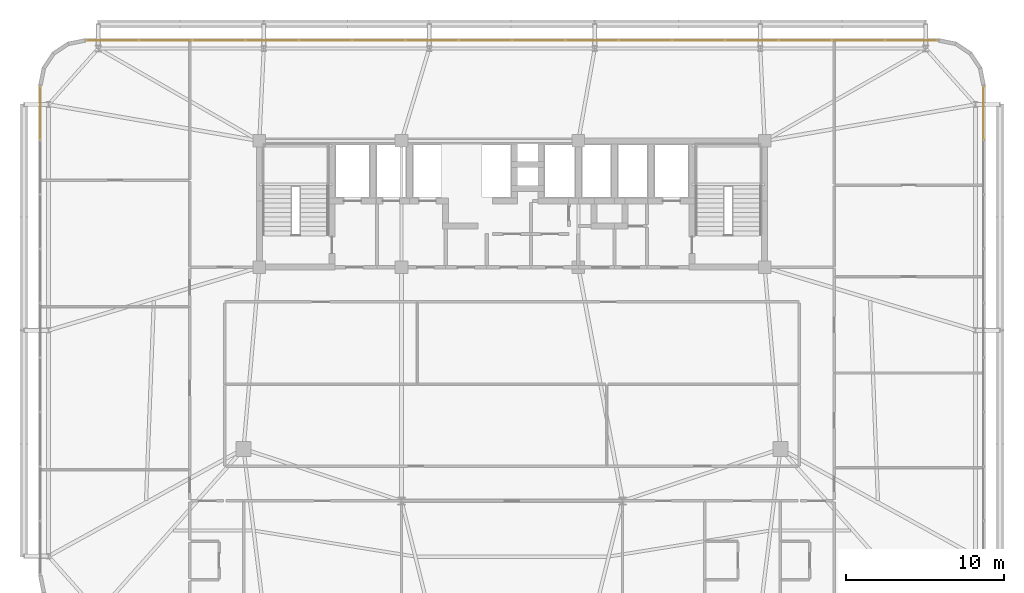
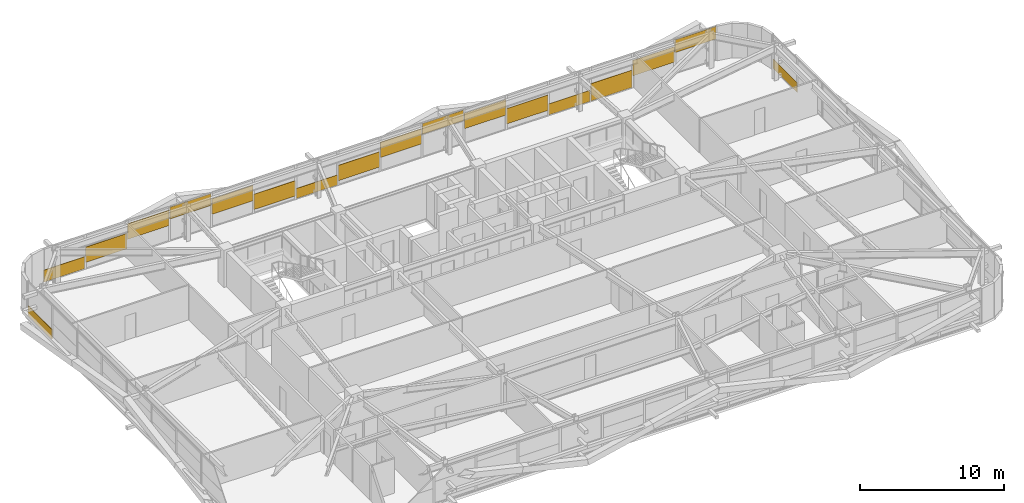
# One storey, part 59 of 59: 18 coverings.
"""IFC4 building model written with IfcOpenShell, lengths in metres."""

import ifcopenshell
import ifcopenshell.guid

model = None  # the IFC model being written
_history = None  # IfcOwnerHistory: only IFC2X3 demands one
_inside = {}  # id of a spatial element -> (the spatial element, [elements in it])
_under = {}  # id of a project, library or spatial element -> (it, [spatial elements below it])
_declared = {}  # id of a project -> (the project, [libraries it declares])
_typed = {}  # id of a type object -> (the type object, [elements of that type])
_made_of = {}  # id of a material, layer set ... -> (it, [elements and type objects made of it])


def new_model(schema):
    """Start an empty IFC model of exactly this schema.

    Asked for "IFC4X3", IfcOpenShell would pick the latest addendum, in which some entities
    have other attributes; the version numbers below select the first issue.
    IFC2X3 requires an IfcOwnerHistory on every rooted entity: one is made here for all.
    """
    global model, _history
    if schema == "IFC4X3":
        model = ifcopenshell.file(schema_version=(4, 3, 0, 0))
    else:
        model = ifcopenshell.file(schema=schema)
    _inside.clear()
    _under.clear()
    _declared.clear()
    _typed.clear()
    _made_of.clear()
    _history = None
    if model.schema == "IFC2X3":
        org = make("IfcOrganization", Name="unknown")
        user = make(
            "IfcPersonAndOrganization",
            ThePerson=make("IfcPerson", FamilyName="unknown"),
            TheOrganization=org,
        )
        app = make(
            "IfcApplication",
            ApplicationDeveloper=org,
            Version="unknown",
            ApplicationFullName="unknown",
            ApplicationIdentifier="unknown",
        )
        _history = make(
            "IfcOwnerHistory",
            OwningUser=user,
            OwningApplication=app,
            ChangeAction="ADDED",
            CreationDate=0,
        )
    return model


def make(cls, **values):
    """One entity of the class cls with the attributes given. An attribute that is None is left unset."""
    return model.create_entity(
        cls, **{name: value for name, value in values.items() if value is not None}
    )


def rooted(cls, **values):
    """An entity with a GlobalId (a new one), such as an element, a storey or a relation."""
    return make(cls, GlobalId=ifcopenshell.guid.new(), OwnerHistory=_history, **values)


def si_unit(unit_type, name, prefix=None):
    """IfcSIUnit, for example si_unit("LENGTHUNIT", "METRE", prefix="MILLI")."""
    return make("IfcSIUnit", UnitType=unit_type, Prefix=prefix, Name=name)


def assignment(units):
    """IfcUnitAssignment: the units of a project."""
    return None if units is None else make("IfcUnitAssignment", Units=units)


def point(xyz):
    """IfcCartesianPoint."""
    return None if xyz is None else make("IfcCartesianPoint", Coordinates=xyz)


def direction(xyz):
    """IfcDirection."""
    return None if xyz is None else make("IfcDirection", DirectionRatios=xyz)


def frame(location, z_axis=None, x_axis=None):
    """IfcAxis2Placement3D, a coordinate frame: its origin and axes. An axis left out is left unset."""
    return make(
        "IfcAxis2Placement3D",
        Location=point(location),
        Axis=direction(z_axis),
        RefDirection=direction(x_axis),
    )


def frame_2d(location, x_axis=None):
    """IfcAxis2Placement2D, a coordinate frame in the plane: its origin and x axis."""
    return make(
        "IfcAxis2Placement2D", Location=point(location), RefDirection=direction(x_axis)
    )


def origin():
    """The frame at (0, 0, 0) with its axes left unset."""
    return frame((0.0, 0.0, 0.0))


def origin_2d():
    """The frame at (0, 0) in the plane with its x axis left unset."""
    return frame_2d((0.0, 0.0))


def place(relative_to, where):
    """IfcLocalPlacement: puts the frame where relative to a parent placement (None: the world)."""
    return make(
        "IfcLocalPlacement", PlacementRelTo=relative_to, RelativePlacement=where
    )


def context(
    kind, dimensions, precision=None, world=None, true_north=None, identifier=None
):
    """IfcGeometricRepresentationContext, for example the 3D "Model" context."""
    return make(
        "IfcGeometricRepresentationContext",
        ContextIdentifier=identifier,
        ContextType=kind,
        CoordinateSpaceDimension=dimensions,
        Precision=precision,
        WorldCoordinateSystem=world,
        TrueNorth=true_north,
    )


def subcontext(parent, identifier, kind, view, scale=None):
    """IfcGeometricRepresentationSubContext, for example "Body" below "Model"."""
    return make(
        "IfcGeometricRepresentationSubContext",
        ContextIdentifier=identifier,
        ContextType=kind,
        ParentContext=parent,
        TargetScale=scale,
        TargetView=view,
    )


def project(units=None, contexts=None):
    """IfcProject with its units and contexts."""
    return rooted(
        "IfcProject",
        Name="project",
        RepresentationContexts=contexts,
        UnitsInContext=assignment(units),
    )


def spatial(cls, under=None, at=None, **own):
    """A site, building, storey or space (cls), placed at a placement, below another one or the project."""
    s = rooted(cls, ObjectPlacement=at, **own)
    if under is not None:
        _under.setdefault(under.id(), (under, []))[1].append(s)
    return s


def profile(cls, at=None, kind="AREA", **sizes):
    """A parametric profile (cls). Its sizes go by their IFC names, for example OverallWidth=200.0."""
    return make(cls, ProfileType=kind, Position=at, **sizes)


def rectangle(**sizes):
    """IfcRectangleProfileDef."""
    return profile("IfcRectangleProfileDef", **sizes)


def extrude(swept, where, along, depth):
    """IfcExtrudedAreaSolid: the profile swept, set in the frame where, extruded along a direction by depth."""
    return make(
        "IfcExtrudedAreaSolid",
        SweptArea=swept,
        Position=where,
        ExtrudedDirection=direction(along),
        Depth=depth,
    )


def shape(context_of_items, identifier, shape_type, items):
    """IfcShapeRepresentation: the items that make up one representation, for example the "Body"."""
    return make(
        "IfcShapeRepresentation",
        ContextOfItems=context_of_items,
        RepresentationIdentifier=identifier,
        RepresentationType=shape_type,
        Items=items,
    )


def source(mapping_origin, context_of_items, identifier, shape_type, items):
    """IfcRepresentationMap: a shape defined once, which mapped items show again and again."""
    return make(
        "IfcRepresentationMap",
        MappingOrigin=mapping_origin,
        MappedRepresentation=shape(context_of_items, identifier, shape_type, items),
    )


def transform(
    local_origin,
    x_axis=None,
    y_axis=None,
    z_axis=None,
    scale=None,
    scale2=None,
    scale3=None,
    uniform=True,
):
    """IfcCartesianTransformationOperator3D, or its non-uniform kind. x_axis, y_axis, z_axis: its Axis1, 2, 3."""
    if uniform:
        return make(
            "IfcCartesianTransformationOperator3D",
            Axis1=direction(x_axis),
            Axis2=direction(y_axis),
            LocalOrigin=point(local_origin),
            Scale=scale,
            Axis3=direction(z_axis),
        )
    return make(
        "IfcCartesianTransformationOperator3DnonUniform",
        Axis1=direction(x_axis),
        Axis2=direction(y_axis),
        LocalOrigin=point(local_origin),
        Scale=scale,
        Axis3=direction(z_axis),
        Scale2=scale2,
        Scale3=scale3,
    )


def mapped(mapping_source, mapping_target):
    """IfcMappedItem: shows the shape of a source again, moved by a transform."""
    return make(
        "IfcMappedItem", MappingSource=mapping_source, MappingTarget=mapping_target
    )


def material(Name=None, Category=None):
    """IfcMaterial."""
    return make("IfcMaterial", Name=Name, Category=Category)


def layer(
    of_material, thickness, ventilated=None, Name=None, Category=None, Priority=None
):
    """IfcMaterialLayer: one layer of a wall or slab, of a material (None: an air gap)."""
    return make(
        "IfcMaterialLayer",
        Material=of_material,
        LayerThickness=thickness,
        IsVentilated=ventilated,
        Name=Name,
        Category=Category,
        Priority=Priority,
    )


def layer_set(layers, Name=None):
    """IfcMaterialLayerSet."""
    return make("IfcMaterialLayerSet", MaterialLayers=layers, LayerSetName=Name)


def made_of(thing, what):
    """Note that an element or type object is made of a material, layer set ...; save() writes the relation."""
    if what is not None:
        _made_of.setdefault(what.id(), (what, []))[1].append(thing)
    return thing


def type_object(cls, material=None, **own):
    """A type object (cls), such as IfcWallType, which elements share."""
    return made_of(rooted(cls, **own), material)


def element(
    cls,
    number,
    at=None,
    inside=None,
    cuts=None,
    type_object=None,
    material=None,
    context=None,
    identifier="Body",
    shape_type=None,
    held_by="IfcProductDefinitionShape",
    body=None,
    shapes=None,
    **own,
):
    """One element of the class cls, such as IfcWall. Its Tag is "e" and its number.

    at: its placement. inside: the storey or other place that contains it. cuts: it is an
    opening in that element (IfcRelVoidsElement). A single representation is given by context,
    identifier, shape_type and body (its items); several are given by shapes. held_by: the class
    of the entity that holds the representations. save() writes the other relations.
    """
    e = rooted(cls, Tag="e%d" % number, ObjectPlacement=at, **own)
    if body is not None:
        shapes = [shape(context, identifier, shape_type, body)]
    if shapes is not None:
        e.Representation = make(held_by, Representations=shapes)
    if inside is not None:
        _inside.setdefault(inside.id(), (inside, []))[1].append(e)
    if cuts is not None:
        rooted(
            "IfcRelVoidsElement", RelatingBuildingElement=cuts, RelatedOpeningElement=e
        )
    if type_object is not None:
        _typed.setdefault(type_object.id(), (type_object, []))[1].append(e)
    return made_of(e, material)


def aggregate(whole, parts):
    """IfcRelAggregates: a whole, such as a stair, and the parts it consists of."""
    return rooted("IfcRelAggregates", RelatingObject=whole, RelatedObjects=parts)


def save(model, path):
    """Write the relations noted so far, then the file.

    IfcRelAggregates (storeys below a building ...), IfcRelContainedInSpatialStructure (elements
    in a storey), IfcRelDefinesByType, IfcRelAssociatesMaterial and IfcRelDeclares: one each for
    every whole, place, type object, material and project.
    """
    for whole, parts in _under.values():
        aggregate(whole, parts)
    for where, things in _inside.values():
        rooted(
            "IfcRelContainedInSpatialStructure",
            RelatedElements=things,
            RelatingStructure=where,
        )
    for kind, things in _typed.values():
        rooted("IfcRelDefinesByType", RelatedObjects=things, RelatingType=kind)
    for what, things in _made_of.values():
        rooted("IfcRelAssociatesMaterial", RelatedObjects=things, RelatingMaterial=what)
    for by, libraries in _declared.values():
        rooted("IfcRelDeclares", RelatingContext=by, RelatedDefinitions=libraries)
    model.write(path)


model = new_model("IFC4")

# Units and contexts
model_context = context("Model", 3, precision=1e-05, world=origin(), true_north=direction((0.0, 1.0)))
body_context = subcontext(model_context, "Body", "Model", "MODEL_VIEW")
ifc_project = project(units=[si_unit("LENGTHUNIT", "METRE"), si_unit("AREAUNIT", "SQUARE_METRE"), si_unit("VOLUMEUNIT", "CUBIC_METRE"), si_unit("PLANEANGLEUNIT", "RADIAN"), si_unit("MASSUNIT", "GRAM", prefix="KILO")], contexts=[model_context])

# Site, building, storey
site_placement = place(None, origin())
site = spatial("IfcSite", under=ifc_project, at=site_placement, CompositionType="ELEMENT")
building_placement = place(site_placement, origin())
building = spatial("IfcBuilding", under=site, at=building_placement, Name="Taldren Reach Tower", CompositionType="ELEMENT")
storey_placement = place(building_placement, frame((0.0, 0.0, 29.39990234375)))
storey = spatial("IfcBuildingStorey", under=building, at=storey_placement, Name="L08", CompositionType="ELEMENT", Elevation=29.39990234375)

# Coverings
ifc_material = material(Name="Pale Champagne Fluoropolymer Aluminium Spandrel Cladding", Category="aluminium")
ifc_layer = layer(ifc_material, 0.0439453125)
ifc_layer_set = layer_set([ifc_layer], Name="Pale Champagne Fluoropolymer Aluminium Spandrel Cladding")
covering_type = type_object("IfcCoveringType", Name="CV-CLAD-044", PredefinedType="CLADDING", material=ifc_layer_set)
shared_shape_1 = source(origin(), body_context, "Body", "SweptSolid", [
    extrude(rectangle(XDim=3.277587890625, YDim=0.0439453125, at=origin_2d()), origin(), (0.0, 0.0, 1.0), 1.081298828125),
])
covering_1_placement = place(storey_placement, frame((60.296142578125, 38.360107421875, 1.7939453125), z_axis=(0.0, 0.0, 1.0), x_axis=(-1.0, 0.0, 0.0)))
element("IfcCovering", 1, at=covering_1_placement, inside=storey, type_object=covering_type, Name="Diagrid closure cladding strip CW-2 panel 1.1 1", PredefinedType="CLADDING", context=body_context, shape_type="MappedRepresentation", body=[
    mapped(shared_shape_1, transform((0.0, 0.0, 0.0), scale=1.0)),
])
shared_shape_2 = source(origin(), body_context, "Body", "SweptSolid", [
    extrude(rectangle(XDim=3.31005859375, YDim=0.0439453125, at=origin_2d()), origin(), (0.0, 0.0, 1.0), 1.301025390625),
])
for number, where, z_axis, x_axis, name in (
    (2, (56.9375, 38.360107421875, 1.01123046875), (0.0, 0.0, 1.0), (-1.0, 0.0, 0.0), "Diagrid closure cladding strip CW-2 panel 2.1 1"),
    (3, (46.8125, 38.360107421875, 0.4755859375), (0.0, 0.0, 1.0), (-1.0, 0.0, 0.0), "Diagrid closure cladding strip CW-2 panel 5.1 1"),
    (4, (43.4375, 38.360107421875, 1.25830078125), (0.0, 0.0, 1.0), (-1.0, 0.0, 0.0), "Diagrid closure cladding strip CW-2 panel 6.1 1"),
    (5, (36.6875, 38.360107421875, 1.17578125), (0.0, 0.0, 1.0), (-1.0, 0.0, 0.0), "Diagrid closure cladding strip CW-2 panel 8.1 1"),
    (6, (33.3125, 38.360107421875, 0.39306640625), (0.0, 0.0, 1.0), (-1.0, 0.0, 0.0), "Diagrid closure cladding strip CW-2 panel 9.1 1"),
    (7, (26.5625, 38.360107421875, 0.31103515625), (0.0, 0.0, 1.0), (-1.0, 0.0, 0.0), "Diagrid closure cladding strip CW-2 panel 11.1 1"),
    (8, (23.1875, 38.360107421875, 1.09375), (0.0, 0.0, 1.0), (-1.0, 0.0, 0.0), "Diagrid closure cladding strip CW-2 panel 12.1 1"),
    (9, (16.4375, 38.360107421875, 1.34033203125), (0.0, 0.0, 1.0), (-1.0, 0.0, 0.0), "Diagrid closure cladding strip CW-2 panel 14.1 1"),
    (10, (13.0625, 38.360107421875, 0.55810546875), (0.0, 0.0, 1.0), (-1.0, 0.0, 0.0), "Diagrid closure cladding strip CW-2 panel 15.1 1"),
):
    element("IfcCovering", number, at=place(storey_placement, frame(where, z_axis=z_axis, x_axis=x_axis)), inside=storey, type_object=covering_type, Name=name, PredefinedType="CLADDING", context=body_context, shape_type="MappedRepresentation", body=[
        mapped(shared_shape_2, transform((0.0, 0.0, 0.0), scale=1.0)),
    ])
shared_shape_3 = source(origin(), body_context, "Body", "SweptSolid", [
    extrude(rectangle(XDim=3.31005859375, YDim=0.0439453125, at=origin_2d()), origin(), (0.0, 0.0, 1.0), 1.474609375),
])
covering_2_placement = place(storey_placement, frame((53.5625, 38.360107421875, 0.05517578125), z_axis=(0.0, 0.0, 1.0), x_axis=(-1.0, 0.0, 0.0)))
element("IfcCovering", 11, at=covering_2_placement, inside=storey, type_object=covering_type, Name="Diagrid closure cladding strip CW-2 panel 3.1 1", PredefinedType="CLADDING", context=body_context, shape_type="MappedRepresentation", body=[
    mapped(shared_shape_3, transform((0.0, 0.0, 0.0), scale=1.0)),
])
shared_shape_4 = source(origin(), body_context, "Body", "SweptSolid", [
    extrude(rectangle(XDim=3.31005859375, YDim=0.0439453125, at=origin_2d()), origin(), (0.0, 0.0, 1.0), 0.93896484375),
])
covering_3_placement = place(storey_placement, frame((50.1875, 38.360107421875, 0.05517578125), z_axis=(0.0, 0.0, 1.0), x_axis=(-1.0, 0.0, 0.0)))
element("IfcCovering", 12, at=covering_3_placement, inside=storey, type_object=covering_type, Name="Diagrid closure cladding strip CW-2 panel 4.1 1", PredefinedType="CLADDING", context=body_context, shape_type="MappedRepresentation", body=[
    mapped(shared_shape_4, transform((0.0, 0.0, 0.0), scale=1.0)),
])
shared_shape_5 = source(origin(), body_context, "Body", "SweptSolid", [
    extrude(rectangle(XDim=3.31005859375, YDim=0.0439453125, at=origin_2d()), origin(), (0.0, 0.0, 1.0), 0.916748046875),
])
covering_4_placement = place(storey_placement, frame((40.0625, 38.360107421875, 1.95849609375), z_axis=(0.0, 0.0, 1.0), x_axis=(-1.0, 0.0, 0.0)))
element("IfcCovering", 13, at=covering_4_placement, inside=storey, type_object=covering_type, Name="Diagrid closure cladding strip CW-2 panel 7.1 1", PredefinedType="CLADDING", context=body_context, shape_type="MappedRepresentation", body=[
    mapped(shared_shape_5, transform((0.0, 0.0, 0.0), scale=1.0)),
])
shared_shape_6 = source(origin(), body_context, "Body", "SweptSolid", [
    extrude(rectangle(XDim=3.31005859375, YDim=0.0439453125, at=origin_2d()), origin(), (0.0, 0.0, 1.0), 0.856689453125),
])
covering_5_placement = place(storey_placement, frame((29.9375, 38.360107421875, 0.05517578125), z_axis=(0.0, 0.0, 1.0), x_axis=(-1.0, 0.0, 0.0)))
element("IfcCovering", 14, at=covering_5_placement, inside=storey, type_object=covering_type, Name="Diagrid closure cladding strip CW-2 panel 10.1 1", PredefinedType="CLADDING", context=body_context, shape_type="MappedRepresentation", body=[
    mapped(shared_shape_6, transform((0.0, 0.0, 0.0), scale=1.0)),
])
shared_shape_7 = source(origin(), body_context, "Body", "SweptSolid", [
    extrude(rectangle(XDim=3.31005859375, YDim=0.0439453125, at=origin_2d()), origin(), (0.0, 0.0, 1.0), 0.9990234375),
])
covering_6_placement = place(storey_placement, frame((19.8125, 38.360107421875, 1.8759765625), z_axis=(0.0, 0.0, 1.0), x_axis=(-1.0, 0.0, 0.0)))
element("IfcCovering", 15, at=covering_6_placement, inside=storey, type_object=covering_type, Name="Diagrid closure cladding strip CW-2 panel 13.1 1", PredefinedType="CLADDING", context=body_context, shape_type="MappedRepresentation", body=[
    mapped(shared_shape_7, transform((0.0, 0.0, 0.0), scale=1.0)),
])
shared_shape_8 = source(origin(), body_context, "Body", "SweptSolid", [
    extrude(rectangle(XDim=3.277587890625, YDim=0.0439453125, at=origin_2d()), origin(), (0.0, 0.0, 1.0), 1.021240234375),
])
covering_7_placement = place(storey_placement, frame((9.703857421875, 38.360107421875, 0.05517578125), z_axis=(0.0, 0.0, 1.0), x_axis=(-1.0, 0.0, 0.0)))
element("IfcCovering", 16, at=covering_7_placement, inside=storey, type_object=covering_type, Name="Diagrid closure cladding strip CW-2 panel 16.1 1", PredefinedType="CLADDING", context=body_context, shape_type="MappedRepresentation", body=[
    mapped(shared_shape_8, transform((0.0, 0.0, 0.0), scale=1.0)),
])
shared_shape_9 = source(origin(), body_context, "Body", "SweptSolid", [
    extrude(rectangle(XDim=3.346923828125, YDim=0.0439453125, at=origin_2d()), origin(), (0.0, 0.0, 1.0), 0.804443359375),
])
for number, where, z_axis, x_axis, name in (
    (17, (5.139892578125, 33.761474609375, 0.05517578125), (0.0, 0.0, 1.0), (0.0, -1.0, 0.0), "Diagrid closure cladding strip CW-2 panel 1.1 1"),
    (18, (64.860107421875, 33.761474609375, 0.05517578125), (0.0, 0.0, 1.0), (0.0, 1.0, 0.0), "Diagrid closure cladding strip CW-2 panel 9.1 1"),
):
    element("IfcCovering", number, at=place(storey_placement, frame(where, z_axis=z_axis, x_axis=x_axis)), inside=storey, type_object=covering_type, Name=name, PredefinedType="CLADDING", context=body_context, shape_type="MappedRepresentation", body=[
        mapped(shared_shape_9, transform((0.0, 0.0, 0.0), scale=1.0)),
    ])

save(model, "model.ifc")
